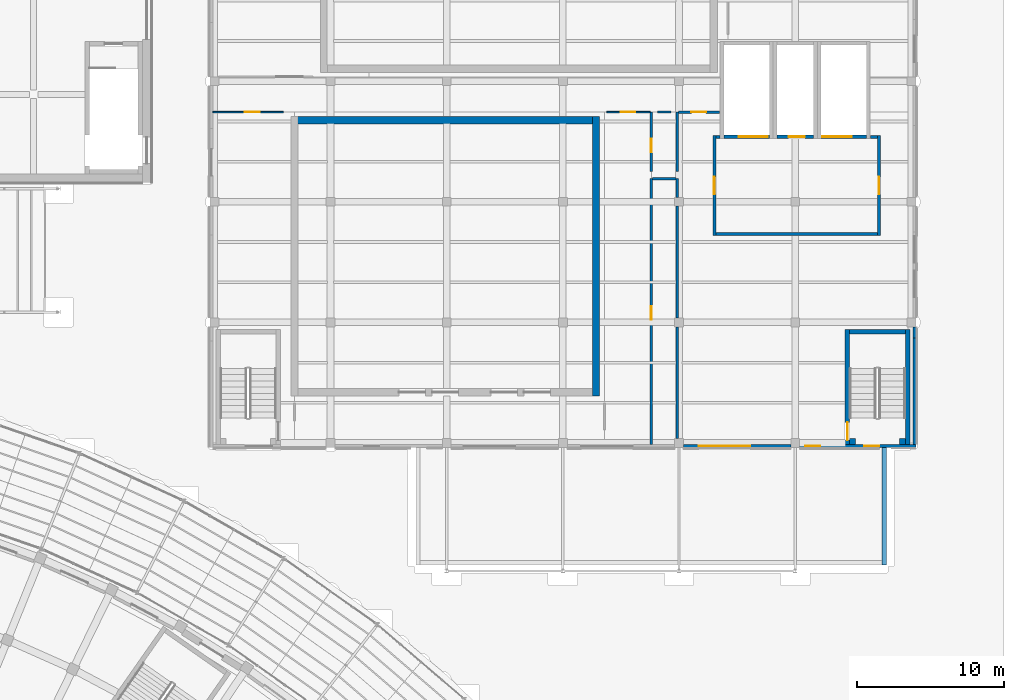
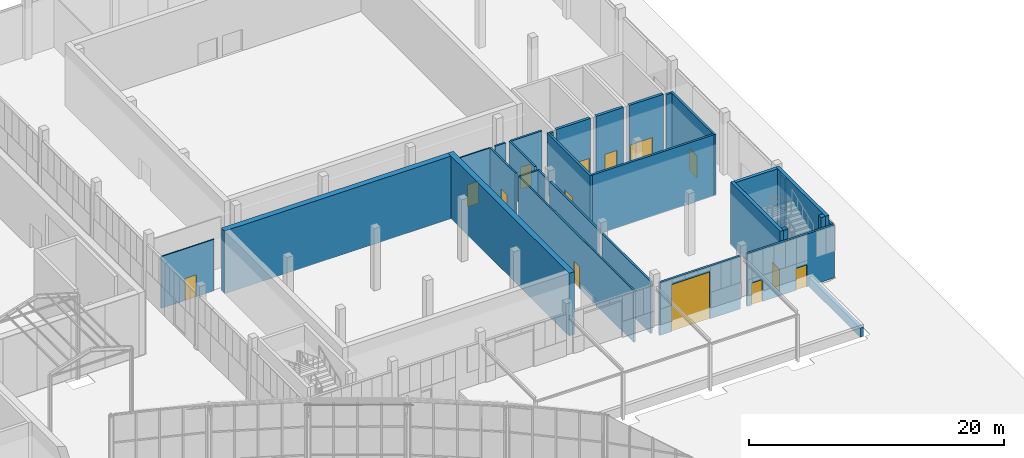
# One storey, part 102 of 155: 31 walls, 14 doors, 14 openings.
"""IFC4 building model written with IfcOpenShell, lengths in metres."""

import ifcopenshell
import ifcopenshell.guid

model = None  # the IFC model being written
_history = None  # IfcOwnerHistory: only IFC2X3 demands one
_inside = {}  # id of a spatial element -> (the spatial element, [elements in it])
_under = {}  # id of a project, library or spatial element -> (it, [spatial elements below it])
_declared = {}  # id of a project -> (the project, [libraries it declares])
_typed = {}  # id of a type object -> (the type object, [elements of that type])
_made_of = {}  # id of a material, layer set ... -> (it, [elements and type objects made of it])


def new_model(schema):
    """Start an empty IFC model of exactly this schema.

    Asked for "IFC4X3", IfcOpenShell would pick the latest addendum, in which some entities
    have other attributes; the version numbers below select the first issue.
    IFC2X3 requires an IfcOwnerHistory on every rooted entity: one is made here for all.
    """
    global model, _history
    if schema == "IFC4X3":
        model = ifcopenshell.file(schema_version=(4, 3, 0, 0))
    else:
        model = ifcopenshell.file(schema=schema)
    _inside.clear()
    _under.clear()
    _declared.clear()
    _typed.clear()
    _made_of.clear()
    _history = None
    if model.schema == "IFC2X3":
        org = make("IfcOrganization", Name="unknown")
        user = make(
            "IfcPersonAndOrganization",
            ThePerson=make("IfcPerson", FamilyName="unknown"),
            TheOrganization=org,
        )
        app = make(
            "IfcApplication",
            ApplicationDeveloper=org,
            Version="unknown",
            ApplicationFullName="unknown",
            ApplicationIdentifier="unknown",
        )
        _history = make(
            "IfcOwnerHistory",
            OwningUser=user,
            OwningApplication=app,
            ChangeAction="ADDED",
            CreationDate=0,
        )
    return model


def make(cls, **values):
    """One entity of the class cls with the attributes given. An attribute that is None is left unset."""
    return model.create_entity(
        cls, **{name: value for name, value in values.items() if value is not None}
    )


def rooted(cls, **values):
    """An entity with a GlobalId (a new one), such as an element, a storey or a relation."""
    return make(cls, GlobalId=ifcopenshell.guid.new(), OwnerHistory=_history, **values)


def si_unit(unit_type, name, prefix=None):
    """IfcSIUnit, for example si_unit("LENGTHUNIT", "METRE", prefix="MILLI")."""
    return make("IfcSIUnit", UnitType=unit_type, Prefix=prefix, Name=name)


def assignment(units):
    """IfcUnitAssignment: the units of a project."""
    return None if units is None else make("IfcUnitAssignment", Units=units)


def point(xyz):
    """IfcCartesianPoint."""
    return None if xyz is None else make("IfcCartesianPoint", Coordinates=xyz)


def direction(xyz):
    """IfcDirection."""
    return None if xyz is None else make("IfcDirection", DirectionRatios=xyz)


def frame(location, z_axis=None, x_axis=None):
    """IfcAxis2Placement3D, a coordinate frame: its origin and axes. An axis left out is left unset."""
    return make(
        "IfcAxis2Placement3D",
        Location=point(location),
        Axis=direction(z_axis),
        RefDirection=direction(x_axis),
    )


def frame_2d(location, x_axis=None):
    """IfcAxis2Placement2D, a coordinate frame in the plane: its origin and x axis."""
    return make(
        "IfcAxis2Placement2D", Location=point(location), RefDirection=direction(x_axis)
    )


def origin():
    """The frame at (0, 0, 0) with its axes left unset."""
    return frame((0.0, 0.0, 0.0))


def place(relative_to, where):
    """IfcLocalPlacement: puts the frame where relative to a parent placement (None: the world)."""
    return make(
        "IfcLocalPlacement", PlacementRelTo=relative_to, RelativePlacement=where
    )


def context(
    kind, dimensions, precision=None, world=None, true_north=None, identifier=None
):
    """IfcGeometricRepresentationContext, for example the 3D "Model" context."""
    return make(
        "IfcGeometricRepresentationContext",
        ContextIdentifier=identifier,
        ContextType=kind,
        CoordinateSpaceDimension=dimensions,
        Precision=precision,
        WorldCoordinateSystem=world,
        TrueNorth=true_north,
    )


def subcontext(parent, identifier, kind, view, scale=None):
    """IfcGeometricRepresentationSubContext, for example "Body" below "Model"."""
    return make(
        "IfcGeometricRepresentationSubContext",
        ContextIdentifier=identifier,
        ContextType=kind,
        ParentContext=parent,
        TargetScale=scale,
        TargetView=view,
    )


def project(units=None, contexts=None):
    """IfcProject with its units and contexts."""
    return rooted(
        "IfcProject",
        Name="project",
        RepresentationContexts=contexts,
        UnitsInContext=assignment(units),
    )


def spatial(cls, under=None, at=None, **own):
    """A site, building, storey or space (cls), placed at a placement, below another one or the project."""
    s = rooted(cls, ObjectPlacement=at, **own)
    if under is not None:
        _under.setdefault(under.id(), (under, []))[1].append(s)
    return s


def profile(cls, at=None, kind="AREA", **sizes):
    """A parametric profile (cls). Its sizes go by their IFC names, for example OverallWidth=200.0."""
    return make(cls, ProfileType=kind, Position=at, **sizes)


def rectangle(**sizes):
    """IfcRectangleProfileDef."""
    return profile("IfcRectangleProfileDef", **sizes)


def extrude(swept, where, along, depth):
    """IfcExtrudedAreaSolid: the profile swept, set in the frame where, extruded along a direction by depth."""
    return make(
        "IfcExtrudedAreaSolid",
        SweptArea=swept,
        Position=where,
        ExtrudedDirection=direction(along),
        Depth=depth,
    )


def shape(context_of_items, identifier, shape_type, items):
    """IfcShapeRepresentation: the items that make up one representation, for example the "Body"."""
    return make(
        "IfcShapeRepresentation",
        ContextOfItems=context_of_items,
        RepresentationIdentifier=identifier,
        RepresentationType=shape_type,
        Items=items,
    )


def material(Name=None, Category=None):
    """IfcMaterial."""
    return make("IfcMaterial", Name=Name, Category=Category)


def layer(
    of_material, thickness, ventilated=None, Name=None, Category=None, Priority=None
):
    """IfcMaterialLayer: one layer of a wall or slab, of a material (None: an air gap)."""
    return make(
        "IfcMaterialLayer",
        Material=of_material,
        LayerThickness=thickness,
        IsVentilated=ventilated,
        Name=Name,
        Category=Category,
        Priority=Priority,
    )


def layer_set(layers, Name=None):
    """IfcMaterialLayerSet."""
    return make("IfcMaterialLayerSet", MaterialLayers=layers, LayerSetName=Name)


def made_of(thing, what):
    """Note that an element or type object is made of a material, layer set ...; save() writes the relation."""
    if what is not None:
        _made_of.setdefault(what.id(), (what, []))[1].append(thing)
    return thing


def type_object(cls, material=None, **own):
    """A type object (cls), such as IfcWallType, which elements share."""
    return made_of(rooted(cls, **own), material)


def element(
    cls,
    number,
    at=None,
    inside=None,
    cuts=None,
    type_object=None,
    material=None,
    context=None,
    identifier="Body",
    shape_type=None,
    held_by="IfcProductDefinitionShape",
    body=None,
    shapes=None,
    **own,
):
    """One element of the class cls, such as IfcWall. Its Tag is "e" and its number.

    at: its placement. inside: the storey or other place that contains it. cuts: it is an
    opening in that element (IfcRelVoidsElement). A single representation is given by context,
    identifier, shape_type and body (its items); several are given by shapes. held_by: the class
    of the entity that holds the representations. save() writes the other relations.
    """
    e = rooted(cls, Tag="e%d" % number, ObjectPlacement=at, **own)
    if body is not None:
        shapes = [shape(context, identifier, shape_type, body)]
    if shapes is not None:
        e.Representation = make(held_by, Representations=shapes)
    if inside is not None:
        _inside.setdefault(inside.id(), (inside, []))[1].append(e)
    if cuts is not None:
        rooted(
            "IfcRelVoidsElement", RelatingBuildingElement=cuts, RelatedOpeningElement=e
        )
    if type_object is not None:
        _typed.setdefault(type_object.id(), (type_object, []))[1].append(e)
    return made_of(e, material)


def fill(opening, filler):
    """IfcRelFillsElement: the door or window that sits in an opening."""
    return rooted(
        "IfcRelFillsElement",
        RelatingOpeningElement=opening,
        RelatedBuildingElement=filler,
    )


def aggregate(whole, parts):
    """IfcRelAggregates: a whole, such as a stair, and the parts it consists of."""
    return rooted("IfcRelAggregates", RelatingObject=whole, RelatedObjects=parts)


def save(model, path):
    """Write the relations noted so far, then the file.

    IfcRelAggregates (storeys below a building ...), IfcRelContainedInSpatialStructure (elements
    in a storey), IfcRelDefinesByType, IfcRelAssociatesMaterial and IfcRelDeclares: one each for
    every whole, place, type object, material and project.
    """
    for whole, parts in _under.values():
        aggregate(whole, parts)
    for where, things in _inside.values():
        rooted(
            "IfcRelContainedInSpatialStructure",
            RelatedElements=things,
            RelatingStructure=where,
        )
    for kind, things in _typed.values():
        rooted("IfcRelDefinesByType", RelatedObjects=things, RelatingType=kind)
    for what, things in _made_of.values():
        rooted("IfcRelAssociatesMaterial", RelatedObjects=things, RelatingMaterial=what)
    for by, libraries in _declared.values():
        rooted("IfcRelDeclares", RelatingContext=by, RelatedDefinitions=libraries)
    model.write(path)


model = new_model("IFC4")

# Units and contexts
model_context = context("Model", 3, precision=1e-05, world=origin(), true_north=direction((0.0, 1.0)))
body_context = subcontext(model_context, "Body", "Model", "MODEL_VIEW")
ifc_project = project(units=[si_unit("LENGTHUNIT", "METRE"), si_unit("AREAUNIT", "SQUARE_METRE"), si_unit("VOLUMEUNIT", "CUBIC_METRE"), si_unit("PLANEANGLEUNIT", "RADIAN"), si_unit("MASSUNIT", "GRAM", prefix="KILO")], contexts=[model_context])

# Site, building, storey
site_placement = place(None, origin())
site = spatial("IfcSite", under=ifc_project, at=site_placement, CompositionType="ELEMENT")
building_placement = place(site_placement, origin())
building = spatial("IfcBuilding", under=site, at=building_placement, Name="Lunette Opera House", CompositionType="ELEMENT")
storey_placement = place(building_placement, origin())
storey = spatial("IfcBuildingStorey", under=building, at=storey_placement, Name="L00", CompositionType="ELEMENT", Elevation=0.0)

# Walls
ifc_material_1 = material(Name="Plastered clay blockwork", Category="masonry")
ifc_layer_1 = layer(ifc_material_1, 0.175048828125)
ifc_layer_set_1 = layer_set([ifc_layer_1], Name="Plastered clay blockwork")
wall_type_1 = type_object("IfcWallType", Name="ACOUSTIC BLOCK PARTITION 175", PredefinedType="PARTITIONING", material=ifc_layer_set_1)
wall_1_placement = place(storey_placement, frame((167.781005859375, 95.0009765625, 0.0), z_axis=(0.0, 0.0, 1.0), x_axis=(0.0, 1.0, 0.0)))
element("IfcWall", 1, at=wall_1_placement, inside=storey, type_object=wall_type_1, Name="Partition Workshop WC", PredefinedType="PARTITIONING", context=body_context, shape_type="SweptSolid", body=[
    extrude(rectangle(XDim=1.27099609375, YDim=0.175048828125, at=frame_2d((0.635498046875, 0.0))), origin(), (0.0, 0.0, 1.0), 4.949951171875),
])
for number, where, z_axis, x_axis, name in (
    (2, (167.781005859375, 86.800048828125, 0.0), (0.0, 0.0, 1.0), (0.0, 1.0, 0.0), "Partition Workshop WC"),
    (3, (167.781005859375, 78.60009765625, 0.0), (0.0, 0.0, 1.0), (0.0, 1.0, 0.0), "Partition Workshop WC"),
):
    element("IfcWall", number, at=place(storey_placement, frame(where, z_axis=z_axis, x_axis=x_axis)), inside=storey, type_object=wall_type_1, Name=name, PredefinedType="PARTITIONING", context=body_context, shape_type="SweptSolid", body=[
        extrude(rectangle(XDim=7.599853515625, YDim=0.175048828125, at=frame_2d((3.7998046875, 0.0))), origin(), (0.0, 0.0, 1.0), 4.949951171875),
    ])
wall_2_placement = place(storey_placement, frame((167.781005859375, 100.800048828125, 0.0), z_axis=(0.0, 0.0, 1.0), x_axis=(0.0, -1.0, 0.0)))
element("IfcWall", 4, at=wall_2_placement, inside=storey, type_object=wall_type_1, Name="Partition Scenery Store Ground", PredefinedType="PARTITIONING", context=body_context, shape_type="SweptSolid", body=[
    extrude(rectangle(XDim=4.028076171875, YDim=0.175048828125, at=frame_2d((2.01416015625, 0.0))), origin(), (0.0, 0.0, 1.0), 4.949951171875),
])

# Wall, opening, door
wall_3_placement = place(storey_placement, frame((170.64990234375, 100.800048828125, 0.0), z_axis=(0.0, 0.0, 1.0), x_axis=(-1.0, 0.0, 0.0)))
wall_3 = element("IfcWall", 5, at=wall_3_placement, inside=storey, type_object=wall_type_1, Name="Partition Scenery Store Ground", PredefinedType="PARTITIONING", context=body_context, shape_type="SweptSolid", body=[
    extrude(rectangle(XDim=2.781005859375, YDim=0.175048828125, at=frame_2d((1.390625, 0.0))), origin(), (0.0, 0.0, 1.0), 4.949951171875),
])
opening_1_placement = place(wall_3_placement, frame((0.909912109375, 0.0, 0.0)))
opening_1 = element("IfcOpeningElement", 6, at=opening_1_placement, cuts=wall_3, Name="Opening WW-D3021", PredefinedType="OPENING", context=body_context, shape_type="SweptSolid", body=[
    extrude(rectangle(XDim=1.0, YDim=2.10009765625, at=frame_2d((0.5, 1.050048828125))), frame((0.0, 0.099609375, 0.0), z_axis=(0.0, -1.0, 0.0), x_axis=(1.0, 0.0, 0.0)), (0.0, 0.0, 1.0), 0.198974609375),
])
ifc_material_2 = material(Name="Timber", Category="wood")
door_type_1 = type_object("IfcDoorType", Name="FLUSH DOOR 1000 X 2100", OperationType="SINGLE_SWING_LEFT", PredefinedType="DOOR", material=ifc_material_2)
door_1_placement = place(opening_1_placement, origin())
door_1 = element("IfcDoor", 7, at=door_1_placement, inside=storey, type_object=door_type_1, Name="Scenery Store Ground door", OperationType="SINGLE_SWING_RIGHT", OverallHeight=2.10009765625, OverallWidth=1.0, PredefinedType="DOOR", context=body_context, shape_type="SweptSolid", body=[
    extrude(rectangle(XDim=1.0, YDim=2.10009765625, at=frame_2d((0.5, 1.050048828125))), frame((0.0, 0.02490234375, 0.0), z_axis=(0.0, -1.0, 0.0), x_axis=(1.0, 0.0, 0.0)), (0.0, 0.0, 1.0), 0.050048828125),
])
fill(opening_1, door_1)

ifc_material_3 = material(Name="Plastered clay blockwork", Category="masonry")
ifc_layer_2 = layer(ifc_material_3, 0.14990234375)
ifc_layer_set_2 = layer_set([ifc_layer_2], Name="Plastered clay blockwork")
wall_type_2 = type_object("IfcWallType", Name="BLOCK PARTITION 150", PredefinedType="PARTITIONING", material=ifc_layer_set_2)
wall_4_placement = place(storey_placement, frame((166.013916015625, 78.199951171875, 0.0), z_axis=(0.0, 0.0, 1.0), x_axis=(0.0, 1.0, 0.0)))
wall_4 = element("IfcWall", 8, at=wall_4_placement, inside=storey, type_object=wall_type_2, Name="Partition Workshop Canteen", PredefinedType="PARTITIONING", context=body_context, shape_type="SweptSolid", body=[
    extrude(rectangle(XDim=18.072021484375, YDim=0.14990234375, at=frame_2d((9.0361328125, 0.0))), origin(), (0.0, 0.0, 1.0), 4.949951171875),
])
opening_2_placement = place(wall_4_placement, frame((8.486083984375, 0.0, 0.0)))
opening_2 = element("IfcOpeningElement", 9, at=opening_2_placement, cuts=wall_4, Name="Opening WW-D3019", PredefinedType="OPENING", context=body_context, shape_type="SweptSolid", body=[
    extrude(rectangle(XDim=0.89990234375, YDim=2.10009765625, at=frame_2d((0.449951171875, 1.050048828125))), frame((0.0, 0.0869140625, 0.0), z_axis=(0.0, -1.0, 0.0), x_axis=(1.0, 0.0, 0.0)), (0.0, 0.0, 1.0), 0.173828125),
])
ifc_material_4 = material(Name="Timber", Category="wood")
door_type_2 = type_object("IfcDoorType", Name="FLUSH DOOR 900 X 2100", OperationType="SINGLE_SWING_LEFT", PredefinedType="DOOR", material=ifc_material_4)
door_2_placement = place(opening_2_placement, origin())
door_2 = element("IfcDoor", 10, at=door_2_placement, inside=storey, type_object=door_type_2, Name="Workshop WC door", OperationType="SINGLE_SWING_LEFT", OverallHeight=2.10009765625, OverallWidth=0.89990234375, PredefinedType="DOOR", context=body_context, shape_type="SweptSolid", body=[
    extrude(rectangle(XDim=0.89990234375, YDim=2.10009765625, at=frame_2d((0.449951171875, 1.050048828125))), frame((0.0, 0.02490234375, 0.0), z_axis=(0.0, -1.0, 0.0), x_axis=(1.0, 0.0, 0.0)), (0.0, 0.0, 1.0), 0.050048828125),
])
fill(opening_2, door_2)

wall_5_placement = place(storey_placement, frame((166.013916015625, 96.77197265625, 0.0), z_axis=(0.0, 0.0, 1.0), x_axis=(0.0, 1.0, 0.0)))
wall_5 = element("IfcWall", 11, at=wall_5_placement, inside=storey, type_object=wall_type_2, Name="Partition Workshop Canteen", PredefinedType="PARTITIONING", context=body_context, shape_type="SweptSolid", body=[
    extrude(rectangle(XDim=4.028076171875, YDim=0.14990234375, at=frame_2d((2.01416015625, 0.0))), origin(), (0.0, 0.0, 1.0), 4.949951171875),
])
opening_3_placement = place(wall_5_placement, frame((1.31396484375, 0.0, 0.0)))
opening_3 = element("IfcOpeningElement", 12, at=opening_3_placement, cuts=wall_5, Name="Opening WW-D3020", PredefinedType="OPENING", context=body_context, shape_type="SweptSolid", body=[
    extrude(rectangle(XDim=0.89990234375, YDim=2.10009765625, at=frame_2d((0.449951171875, 1.050048828125))), frame((0.0, 0.0869140625, 0.0), z_axis=(0.0, -1.0, 0.0), x_axis=(1.0, 0.0, 0.0)), (0.0, 0.0, 1.0), 0.173828125),
])
door_3_placement = place(opening_3_placement, origin())
door_3 = element("IfcDoor", 13, at=door_3_placement, inside=storey, type_object=door_type_2, Name="Accessible WC Workshop door", OperationType="SINGLE_SWING_LEFT", OverallHeight=2.10009765625, OverallWidth=0.89990234375, PredefinedType="DOOR", context=body_context, shape_type="SweptSolid", body=[
    extrude(rectangle(XDim=0.89990234375, YDim=2.10009765625, at=frame_2d((0.449951171875, 1.050048828125))), frame((0.0, 0.02490234375, 0.0), z_axis=(0.0, -1.0, 0.0), x_axis=(1.0, 0.0, 0.0)), (0.0, 0.0, 1.0), 0.050048828125),
])
fill(opening_3, door_3)

# Walls
wall_6_placement = place(storey_placement, frame((167.693115234375, 96.27197265625, 0.0), z_axis=(0.0, 0.0, 1.0), x_axis=(-1.0, 0.0, 0.0)))
element("IfcWall", 14, at=wall_6_placement, inside=storey, type_object=wall_type_2, Name="Partition Workshop WC", PredefinedType="PARTITIONING", context=body_context, shape_type="SweptSolid", body=[
    extrude(rectangle(XDim=1.60400390625, YDim=0.14990234375, at=frame_2d((0.802001953125, 0.0))), origin(), (0.0, 0.0, 1.0), 4.949951171875),
])
wall_7_placement = place(storey_placement, frame((167.368896484375, 100.800048828125, 0.0), z_axis=(0.0, 0.0, 1.0), x_axis=(-1.0, 0.0, 0.0)))
element("IfcWall", 15, at=wall_7_placement, inside=storey, type_object=wall_type_2, Name="Partition Accessible WC Workshop", PredefinedType="PARTITIONING", context=body_context, shape_type="SweptSolid", body=[
    extrude(rectangle(XDim=0.929931640625, YDim=0.14990234375, at=frame_2d((0.46484375, 0.0))), origin(), (0.0, 0.0, 1.0), 4.949951171875),
])

# Wall, opening, door
ifc_material_5 = material(Name="Concrete C35/45", Category="concrete")
ifc_layer_3 = layer(ifc_material_5, 0.199951171875)
ifc_layer_set_3 = layer_set([ifc_layer_3], Name="Concrete C35/45")
wall_type_3 = type_object("IfcWallType", Name="LOBBY WALL 200", PredefinedType="PARTITIONING", material=ifc_layer_set_3)
wall_8_placement = place(storey_placement, frame((181.5, 92.39990234375, 0.0), z_axis=(0.0, 0.0, 1.0), x_axis=(0.0, 1.0, 0.0)))
wall_8 = element("IfcWall", 16, at=wall_8_placement, inside=storey, type_object=wall_type_3, Name="LL-W lobby wall 1a", PredefinedType="PARTITIONING", context=body_context, shape_type="SweptSolid", body=[
    extrude(rectangle(XDim=6.800048828125, YDim=0.199951171875, at=frame_2d((3.39990234375, 0.0))), origin(), (0.0, 0.0, 1.0), 5.85009765625),
])
opening_4_placement = place(wall_8_placement, frame((2.800048828125, 0.0, 0.0)))
opening_4 = element("IfcOpeningElement", 17, at=opening_4_placement, cuts=wall_8, Name="Opening WW-D7017", PredefinedType="OPENING", context=body_context, shape_type="SweptSolid", body=[
    extrude(rectangle(XDim=1.199951171875, YDim=2.10009765625, at=frame_2d((0.60009765625, 1.050048828125))), frame((0.0, 0.112060546875, 0.0), z_axis=(0.0, -1.0, 0.0), x_axis=(1.0, 0.0, 0.0)), (0.0, 0.0, 1.0), 0.223876953125),
])
ifc_material_6 = material(Name="Steel", Category="steel")
door_type_3 = type_object("IfcDoorType", Name="FIRE DOOR 1200 X 2100", OperationType="SINGLE_SWING_LEFT", PredefinedType="DOOR", material=ifc_material_6)
door_4_placement = place(opening_4_placement, origin())
door_4 = element("IfcDoor", 18, at=door_4_placement, inside=storey, type_object=door_type_3, Name="LL-W lobby door", OperationType="SINGLE_SWING_LEFT", OverallHeight=2.10009765625, OverallWidth=1.199951171875, PredefinedType="DOOR", context=body_context, shape_type="SweptSolid", body=[
    extrude(rectangle(XDim=1.199951171875, YDim=2.10009765625, at=frame_2d((0.60009765625, 1.050048828125))), frame((0.0, 0.02490234375, 0.0), z_axis=(0.0, -1.0, 0.0), x_axis=(1.0, 0.0, 0.0)), (0.0, 0.0, 1.0), 0.050048828125),
])
fill(opening_4, door_4)

# Walls
wall_9_placement = place(storey_placement, frame((181.39990234375, 99.10009765625, 0.0), z_axis=(0.0, 0.0, 1.0), x_axis=(-1.0, 0.0, 0.0)))
element("IfcWall", 19, at=wall_9_placement, inside=storey, type_object=wall_type_3, Name="LL-W lobby wall 2a", PredefinedType="PARTITIONING", context=body_context, shape_type="SweptSolid", body=[
    extrude(rectangle(XDim=0.47998046875, YDim=0.199951171875, at=frame_2d((0.239990234375, 0.0))), origin(), (0.0, 0.0, 1.0), 5.85009765625),
])
wall_10_placement = place(storey_placement, frame((170.679931640625, 99.10009765625, 0.0), z_axis=(0.0, 0.0, 1.0), x_axis=(-1.0, 0.0, 0.0)))
element("IfcWall", 20, at=wall_10_placement, inside=storey, type_object=wall_type_3, Name="LL-W lobby wall 2b", PredefinedType="PARTITIONING", context=body_context, shape_type="SweptSolid", body=[
    extrude(rectangle(XDim=0.280029296875, YDim=0.199951171875, at=frame_2d((0.14013671875, 0.0))), origin(), (0.0, 0.0, 1.0), 5.85009765625),
])

# Wall, opening, door
wall_11_placement = place(storey_placement, frame((170.300048828125, 99.199951171875, 0.0), z_axis=(0.0, 0.0, 1.0), x_axis=(0.0, -1.0, 0.0)))
wall_11 = element("IfcWall", 21, at=wall_11_placement, inside=storey, type_object=wall_type_3, Name="LL-W lobby wall 3a", PredefinedType="PARTITIONING", context=body_context, shape_type="SweptSolid", body=[
    extrude(rectangle(XDim=6.800048828125, YDim=0.199951171875, at=frame_2d((3.39990234375, 0.0))), origin(), (0.0, 0.0, 1.0), 5.85009765625),
])
opening_5_placement = place(wall_11_placement, frame((2.800048828125, 0.0, 0.0)))
opening_5 = element("IfcOpeningElement", 22, at=opening_5_placement, cuts=wall_11, Name="Opening WW-D7018", PredefinedType="OPENING", context=body_context, shape_type="SweptSolid", body=[
    extrude(rectangle(XDim=1.199951171875, YDim=2.10009765625, at=frame_2d((0.60009765625, 1.050048828125))), frame((0.0, 0.112060546875, 0.0), z_axis=(0.0, -1.0, 0.0), x_axis=(1.0, 0.0, 0.0)), (0.0, 0.0, 1.0), 0.223876953125),
])
door_5_placement = place(opening_5_placement, origin())
door_5 = element("IfcDoor", 23, at=door_5_placement, inside=storey, type_object=door_type_3, Name="LL-W lobby door", OperationType="SINGLE_SWING_LEFT", OverallHeight=2.10009765625, OverallWidth=1.199951171875, PredefinedType="DOOR", context=body_context, shape_type="SweptSolid", body=[
    extrude(rectangle(XDim=1.199951171875, YDim=2.10009765625, at=frame_2d((0.60009765625, 1.050048828125))), frame((0.0, 0.02490234375, 0.0), z_axis=(0.0, -1.0, 0.0), x_axis=(1.0, 0.0, 0.0)), (0.0, 0.0, 1.0), 0.050048828125),
])
fill(opening_5, door_5)

# Wall
wall_12_placement = place(storey_placement, frame((170.39990234375, 92.5, 0.0), z_axis=(0.0, 0.0, 1.0), x_axis=(1.0, 0.0, 0.0)))
element("IfcWall", 24, at=wall_12_placement, inside=storey, type_object=wall_type_3, Name="LL-W lobby wall 4a", PredefinedType="PARTITIONING", context=body_context, shape_type="SweptSolid", body=[
    extrude(rectangle(XDim=11.0, YDim=0.199951171875, at=frame_2d((5.5, 0.0))), origin(), (0.0, 0.0, 1.0), 5.85009765625),
])

# Wall, opening, door
ifc_material_7 = material(Name="Concrete C35/45", Category="concrete")
ifc_layer_4 = layer(ifc_material_7, 0.25)
ifc_layer_set_4 = layer_set([ifc_layer_4], Name="Concrete C35/45")
wall_type_4 = type_object("IfcWallType", Name="RC LIFT SHAFT WALL 250", PredefinedType="SOLIDWALL", material=ifc_layer_set_4)
wall_13_placement = place(storey_placement, frame((174.550048828125, 99.125, 0.0), z_axis=(0.0, 0.0, 1.0), x_axis=(1.0, 0.0, 0.0)))
wall_13 = element("IfcWall", 25, at=wall_13_placement, inside=storey, type_object=wall_type_4, Name="LF6 shaft wall 4", PredefinedType="SOLIDWALL", context=body_context, shape_type="SweptSolid", body=[
    extrude(rectangle(XDim=2.5, YDim=0.25, at=frame_2d((1.25, 0.0))), origin(), (0.0, 0.0, 1.0), 6.0),
])
opening_6_placement = place(wall_13_placement, frame((0.800048828125, 0.0, 0.0)))
opening_6 = element("IfcOpeningElement", 26, at=opening_6_placement, cuts=wall_13, Name="Opening WW-LD002", PredefinedType="OPENING", context=body_context, shape_type="SweptSolid", body=[
    extrude(rectangle(XDim=1.10009765625, YDim=2.10009765625, at=frame_2d((0.550048828125, 1.050048828125))), frame((0.0, 0.136962890625, 0.0), z_axis=(0.0, -1.0, 0.0), x_axis=(1.0, 0.0, 0.0)), (0.0, 0.0, 1.0), 0.27392578125),
])
ifc_material_8 = material(Name="Stainless steel", Category="steel")
door_type_4 = type_object("IfcDoorType", Name="LIFT LANDING DOOR 1100 X 2100", OperationType="DOUBLE_DOOR_SLIDING", PredefinedType="DOOR", material=ifc_material_8)
door_6_placement = place(opening_6_placement, origin())
door_6 = element("IfcDoor", 27, at=door_6_placement, inside=storey, type_object=door_type_4, Name="LF6 lift landing door", OperationType="DOUBLE_DOOR_SLIDING", OverallHeight=2.10009765625, OverallWidth=1.10009765625, PredefinedType="DOOR", context=body_context, shape_type="SweptSolid", body=[
    extrude(rectangle(XDim=1.10009765625, YDim=2.10009765625, at=frame_2d((0.550048828125, 1.050048828125))), frame((0.0, 0.02490234375, 0.0), z_axis=(0.0, -1.0, 0.0), x_axis=(1.0, 0.0, 0.0)), (0.0, 0.0, 1.0), 0.050048828125),
])
fill(opening_6, door_6)

wall_14_placement = place(storey_placement, frame((170.949951171875, 99.125, 0.0), z_axis=(0.0, 0.0, 1.0), x_axis=(1.0, 0.0, 0.0)))
wall_14 = element("IfcWall", 28, at=wall_14_placement, inside=storey, type_object=wall_type_4, Name="LG2 shaft wall 4", PredefinedType="SOLIDWALL", context=body_context, shape_type="SweptSolid", body=[
    extrude(rectangle(XDim=3.10009765625, YDim=0.25, at=frame_2d((1.550048828125, 0.0))), origin(), (0.0, 0.0, 1.0), 6.0),
])
opening_7_placement = place(wall_14_placement, frame((1.0, 0.0, 0.0)))
opening_7 = element("IfcOpeningElement", 29, at=opening_7_placement, cuts=wall_14, Name="Opening WW-LD007", PredefinedType="OPENING", context=body_context, shape_type="SweptSolid", body=[
    extrude(rectangle(XDim=2.0, YDim=2.199951171875, at=frame_2d((1.0, 1.10009765625))), frame((0.0, 0.136962890625, 0.0), z_axis=(0.0, -1.0, 0.0), x_axis=(1.0, 0.0, 0.0)), (0.0, 0.0, 1.0), 0.27392578125),
])
ifc_material_9 = material(Name="Stainless steel", Category="steel")
door_type_5 = type_object("IfcDoorType", Name="LIFT LANDING DOOR 2000 X 2200", OperationType="DOUBLE_DOOR_SLIDING", PredefinedType="DOOR", material=ifc_material_9)
door_7_placement = place(opening_7_placement, origin())
door_7 = element("IfcDoor", 30, at=door_7_placement, inside=storey, type_object=door_type_5, Name="LG2 lift landing door", OperationType="DOUBLE_DOOR_SLIDING", OverallHeight=2.199951171875, OverallWidth=2.0, PredefinedType="DOOR", context=body_context, shape_type="SweptSolid", body=[
    extrude(rectangle(XDim=2.0, YDim=2.199951171875, at=frame_2d((1.0, 1.10009765625))), frame((0.0, 0.02490234375, 0.0), z_axis=(0.0, -1.0, 0.0), x_axis=(1.0, 0.0, 0.0)), (0.0, 0.0, 1.0), 0.050048828125),
])
fill(opening_7, door_7)

wall_15_placement = place(storey_placement, frame((177.550048828125, 99.125, 0.0), z_axis=(0.0, 0.0, 1.0), x_axis=(1.0, 0.0, 0.0)))
wall_15 = element("IfcWall", 31, at=wall_15_placement, inside=storey, type_object=wall_type_4, Name="LG3 shaft wall 4", PredefinedType="SOLIDWALL", context=body_context, shape_type="SweptSolid", body=[
    extrude(rectangle(XDim=3.099853515625, YDim=0.25, at=frame_2d((1.5498046875, 0.0))), origin(), (0.0, 0.0, 1.0), 6.0),
])
opening_8_placement = place(wall_15_placement, frame((0.10009765625, 0.0, 0.0)))
opening_8 = element("IfcOpeningElement", 32, at=opening_8_placement, cuts=wall_15, Name="Opening WW-LD012", PredefinedType="OPENING", context=body_context, shape_type="SweptSolid", body=[
    extrude(rectangle(XDim=2.0, YDim=2.199951171875, at=frame_2d((1.0, 1.10009765625))), frame((0.0, 0.136962890625, 0.0), z_axis=(0.0, -1.0, 0.0), x_axis=(1.0, 0.0, 0.0)), (0.0, 0.0, 1.0), 0.27392578125),
])
door_8_placement = place(opening_8_placement, origin())
door_8 = element("IfcDoor", 33, at=door_8_placement, inside=storey, type_object=door_type_5, Name="LG3 lift landing door", OperationType="DOUBLE_DOOR_SLIDING", OverallHeight=2.199951171875, OverallWidth=2.0, PredefinedType="DOOR", context=body_context, shape_type="SweptSolid", body=[
    extrude(rectangle(XDim=2.0, YDim=2.199951171875, at=frame_2d((1.0, 1.10009765625))), frame((0.0, 0.02490234375, 0.0), z_axis=(0.0, -1.0, 0.0), x_axis=(1.0, 0.0, 0.0)), (0.0, 0.0, 1.0), 0.050048828125),
])
fill(opening_8, door_8)

# Walls
ifc_material_10 = material(Name="Concrete C35/45", Category="concrete")
ifc_layer_5 = layer(ifc_material_10, 0.39990234375)
ifc_layer_set_5 = layer_set([ifc_layer_5], Name="Concrete C35/45")
wall_type_5 = type_object("IfcWallType", Name="RC PILASTER 400", PredefinedType="SOLIDWALL", material=ifc_layer_set_5)
wall_16_placement = place(storey_placement, frame((179.5, 78.39990234375, 0.0), z_axis=(0.0, 0.0, 1.0), x_axis=(1.0, 0.0, 0.0)))
element("IfcWall", 34, at=wall_16_placement, inside=storey, type_object=wall_type_5, Name="ST20 pilaster 1", PredefinedType="SOLIDWALL", context=body_context, shape_type="SweptSolid", body=[
    extrude(rectangle(XDim=0.39990234375, YDim=0.39990234375, at=frame_2d((0.199951171875, 0.0))), origin(), (0.0, 0.0, 1.0), 6.0),
])
wall_17_placement = place(storey_placement, frame((182.89990234375, 78.39990234375, 0.0), z_axis=(0.0, 0.0, 1.0), x_axis=(1.0, 0.0, 0.0)))
element("IfcWall", 35, at=wall_17_placement, inside=storey, type_object=wall_type_5, Name="ST20 pilaster 2", PredefinedType="SOLIDWALL", context=body_context, shape_type="SweptSolid", body=[
    extrude(rectangle(XDim=0.400146484375, YDim=0.39990234375, at=frame_2d((0.2001953125, 0.0))), origin(), (0.0, 0.0, 1.0), 6.0),
])
ifc_material_11 = material(Name="Concrete C35/45", Category="concrete")
ifc_layer_6 = layer(ifc_material_11, 0.300048828125)
ifc_layer_set_6 = layer_set([ifc_layer_6], Name="Concrete C35/45")
wall_type_6 = type_object("IfcWallType", Name="RC STAIR ENCLOSURE WALL 300", PredefinedType="SOLIDWALL", material=ifc_layer_set_6)
wall_18_placement = place(storey_placement, frame((183.449951171875, 78.199951171875, 0.0), z_axis=(0.0, 0.0, 1.0), x_axis=(0.0, 1.0, 0.0)))
element("IfcWall", 36, at=wall_18_placement, inside=storey, type_object=wall_type_6, Name="ST20 enclosure wall 1", PredefinedType="SOLIDWALL", context=body_context, shape_type="SweptSolid", body=[
    extrude(rectangle(XDim=7.800048828125, YDim=0.300048828125, at=frame_2d((3.89990234375, 0.0))), origin(), (0.0, 0.0, 1.0), 6.0),
])
wall_19_placement = place(storey_placement, frame((183.300048828125, 85.85009765625, 0.0), z_axis=(0.0, 0.0, 1.0), x_axis=(-1.0, 0.0, 0.0)))
element("IfcWall", 37, at=wall_19_placement, inside=storey, type_object=wall_type_6, Name="ST20 enclosure wall 2", PredefinedType="SOLIDWALL", context=body_context, shape_type="SweptSolid", body=[
    extrude(rectangle(XDim=3.800048828125, YDim=0.300048828125, at=frame_2d((1.89990234375, 0.0))), origin(), (0.0, 0.0, 1.0), 6.0),
])

# Wall, opening, door
wall_20_placement = place(storey_placement, frame((179.35009765625, 86.0, 0.0), z_axis=(0.0, 0.0, 1.0), x_axis=(0.0, -1.0, 0.0)))
wall_20 = element("IfcWall", 38, at=wall_20_placement, inside=storey, type_object=wall_type_6, Name="ST20 enclosure wall 3", PredefinedType="SOLIDWALL", context=body_context, shape_type="SweptSolid", body=[
    extrude(rectangle(XDim=7.800048828125, YDim=0.300048828125, at=frame_2d((3.89990234375, 0.0))), origin(), (0.0, 0.0, 1.0), 6.0),
])
opening_9_placement = place(wall_20_placement, frame((6.300048828125, 0.0, 0.0)))
opening_9 = element("IfcOpeningElement", 39, at=opening_9_placement, cuts=wall_20, Name="Opening WW-D7011", PredefinedType="OPENING", context=body_context, shape_type="SweptSolid", body=[
    extrude(rectangle(XDim=1.199951171875, YDim=2.10009765625, at=frame_2d((0.60009765625, 1.050048828125))), frame((0.0, 0.162109375, 0.0), z_axis=(0.0, -1.0, 0.0), x_axis=(1.0, 0.0, 0.0)), (0.0, 0.0, 1.0), 0.323974609375),
])
door_9_placement = place(opening_9_placement, origin())
door_9 = element("IfcDoor", 40, at=door_9_placement, inside=storey, type_object=door_type_3, Name="ST20 stair door", OperationType="SINGLE_SWING_LEFT", OverallHeight=2.10009765625, OverallWidth=1.199951171875, PredefinedType="DOOR", context=body_context, shape_type="SweptSolid", body=[
    extrude(rectangle(XDim=1.199951171875, YDim=2.10009765625, at=frame_2d((0.60009765625, 1.050048828125))), frame((0.0, 0.02490234375, 0.0), z_axis=(0.0, -1.0, 0.0), x_axis=(1.0, 0.0, 0.0)), (0.0, 0.0, 1.0), 0.050048828125),
])
fill(opening_9, door_9)

# Walls
ifc_material_12 = material(Name="Concrete C35/45", Category="concrete")
ifc_layer_7 = layer(ifc_material_12, 0.300048828125)
ifc_layer_set_7 = layer_set([ifc_layer_7], Name="Concrete C35/45")
wall_type_7 = type_object("IfcWallType", Name="RC WALL 300", PredefinedType="SHEAR", material=ifc_layer_set_7)
wall_21_placement = place(storey_placement, frame((181.85009765625, 70.0, -0.050048828125), z_axis=(0.0, 0.0, 1.0), x_axis=(0.0, 1.0, 0.0)))
element("IfcWall", 41, at=wall_21_placement, inside=storey, type_object=wall_type_7, Name="wall-WW-L00-DK-E", PredefinedType="SHEAR", context=body_context, shape_type="SweptSolid", body=[
    extrude(rectangle(XDim=8.0, YDim=0.300048828125, at=frame_2d((4.0, 0.0))), origin(), (0.0, 0.0, 1.0), 0.900146484375),
])
ifc_material_13 = material(Name="Concrete C35/45", Category="concrete")
ifc_layer_8 = layer(ifc_material_13, 0.5)
ifc_layer_set_8 = layer_set([ifc_layer_8], Name="Concrete C35/45")
wall_type_8 = type_object("IfcWallType", Name="RC WALL 500", PredefinedType="SHEAR", material=ifc_layer_set_8)
wall_22_placement = place(storey_placement, frame((141.5, 100.25, 0.0), z_axis=(0.0, 0.0, 1.0), x_axis=(1.0, 0.0, 0.0)))
element("IfcWall", 42, at=wall_22_placement, inside=storey, type_object=wall_type_8, Name="wall-WW-L00-CP-N-1", PredefinedType="SHEAR", context=body_context, shape_type="SweptSolid", body=[
    extrude(rectangle(XDim=21.0, YDim=0.5, at=frame_2d((10.5, 0.0))), origin(), (0.0, 0.0, 1.0), 6.0),
])
wall_23_placement = place(storey_placement, frame((162.25, 81.5, 0.0), z_axis=(0.0, 0.0, 1.0), x_axis=(0.0, 1.0, 0.0)))
element("IfcWall", 43, at=wall_23_placement, inside=storey, type_object=wall_type_8, Name="wall-WW-L00-CP-E-1", PredefinedType="SHEAR", context=body_context, shape_type="SweptSolid", body=[
    extrude(rectangle(XDim=19.0, YDim=0.5, at=frame_2d((9.5, 0.0))), origin(), (0.0, 0.0, 1.0), 6.0),
])

# Wall, opening, door
ifc_material_14 = material(Name="Gypsum board on steel studs", Category="steel")
ifc_layer_9 = layer(ifc_material_14, 0.10009765625)
ifc_layer_set_9 = layer_set([ifc_layer_9], Name="Gypsum board on steel studs")
wall_type_9 = type_object("IfcWallType", Name="STUD PARTITION 100", PredefinedType="PARTITIONING", material=ifc_layer_set_9)
wall_24_placement = place(storey_placement, frame((141.0, 100.800048828125, 0.0), z_axis=(0.0, 0.0, 1.0), x_axis=(-1.0, 0.0, 0.0)))
wall_24 = element("IfcWall", 44, at=wall_24_placement, inside=storey, type_object=wall_type_9, Name="Partition Dye and Laundry", PredefinedType="PARTITIONING", context=body_context, shape_type="SweptSolid", body=[
    extrude(rectangle(XDim=4.800048828125, YDim=0.10009765625, at=frame_2d((2.39990234375, 0.0))), origin(), (0.0, 0.0, 1.0), 4.949951171875),
])
opening_10_placement = place(wall_24_placement, frame((1.626953125, 0.0, 0.0)))
opening_10 = element("IfcOpeningElement", 45, at=opening_10_placement, cuts=wall_24, Name="Opening WW-D3014", PredefinedType="OPENING", context=body_context, shape_type="SweptSolid", body=[
    extrude(rectangle(XDim=1.0, YDim=2.10009765625, at=frame_2d((0.5, 1.050048828125))), frame((0.0, 0.06201171875, 0.0), z_axis=(0.0, -1.0, 0.0), x_axis=(1.0, 0.0, 0.0)), (0.0, 0.0, 1.0), 0.1240234375),
])
door_10_placement = place(opening_10_placement, origin())
door_10 = element("IfcDoor", 46, at=door_10_placement, inside=storey, type_object=door_type_1, Name="Dye and Laundry door", OperationType="SINGLE_SWING_LEFT", OverallHeight=2.10009765625, OverallWidth=1.0, PredefinedType="DOOR", context=body_context, shape_type="SweptSolid", body=[
    extrude(rectangle(XDim=1.0, YDim=2.10009765625, at=frame_2d((0.5, 1.050048828125))), frame((0.0, 0.02490234375, 0.0), z_axis=(0.0, -1.0, 0.0), x_axis=(1.0, 0.0, 0.0)), (0.0, 0.0, 1.0), 0.050048828125),
])
fill(opening_10, door_10)

wall_25_placement = place(storey_placement, frame((165.93896484375, 100.800048828125, 0.0), z_axis=(0.0, 0.0, 1.0), x_axis=(-1.0, 0.0, 0.0)))
wall_25 = element("IfcWall", 47, at=wall_25_placement, inside=storey, type_object=wall_type_9, Name="Partition Workshop Canteen", PredefinedType="PARTITIONING", context=body_context, shape_type="SweptSolid", body=[
    extrude(rectangle(XDim=2.93896484375, YDim=0.10009765625, at=frame_2d((1.469482421875, 0.0))), origin(), (0.0, 0.0, 1.0), 4.949951171875),
])
opening_11_placement = place(wall_25_placement, frame((1.014892578125, 0.0, 0.0)))
opening_11 = element("IfcOpeningElement", 48, at=opening_11_placement, cuts=wall_25, Name="Opening WW-D3018", PredefinedType="OPENING", context=body_context, shape_type="SweptSolid", body=[
    extrude(rectangle(XDim=1.0, YDim=2.10009765625, at=frame_2d((0.5, 1.050048828125))), frame((0.0, 0.06201171875, 0.0), z_axis=(0.0, -1.0, 0.0), x_axis=(1.0, 0.0, 0.0)), (0.0, 0.0, 1.0), 0.1240234375),
])
door_11_placement = place(opening_11_placement, origin())
door_11 = element("IfcDoor", 49, at=door_11_placement, inside=storey, type_object=door_type_1, Name="Workshop Canteen door", OperationType="SINGLE_SWING_RIGHT", OverallHeight=2.10009765625, OverallWidth=1.0, PredefinedType="DOOR", context=body_context, shape_type="SweptSolid", body=[
    extrude(rectangle(XDim=1.0, YDim=2.10009765625, at=frame_2d((0.5, 1.050048828125))), frame((0.0, 0.02490234375, 0.0), z_axis=(0.0, -1.0, 0.0), x_axis=(1.0, 0.0, 0.0)), (0.0, 0.0, 1.0), 0.050048828125),
])
fill(opening_11, door_11)

ifc_material_15 = material(Name="Insulated aluminium sandwich panel", Category="aluminium")
ifc_layer_10 = layer(ifc_material_15, 0.199951171875)
ifc_layer_set_10 = layer_set([ifc_layer_10], Name="Insulated aluminium sandwich panel")
wall_type_10 = type_object("IfcWallType", Name="WORKSHOP METAL PANEL WALL 200", PredefinedType="SOLIDWALL", material=ifc_layer_set_10)
wall_26_placement = place(storey_placement, frame((168.199951171875, 78.10009765625, 0.0), z_axis=(0.0, 0.0, 1.0), x_axis=(1.0, 0.0, 0.0)))
wall_26 = element("IfcWall", 50, at=wall_26_placement, inside=storey, type_object=wall_type_10, Name="Workshop Metal Panel Wall 200 F19 L00", PredefinedType="SOLIDWALL", context=body_context, shape_type="SweptSolid", body=[
    extrude(rectangle(XDim=7.300048828125, YDim=0.199951171875, at=frame_2d((3.64990234375, 0.0))), origin(), (0.0, 0.0, 1.0), 5.050048828125),
])
opening_12_placement = place(wall_26_placement, frame((1.050048828125, 0.0, 0.0)))
opening_12 = element("IfcOpeningElement", 51, at=opening_12_placement, cuts=wall_26, Name="Opening WW-D2003", PredefinedType="OPENING", context=body_context, shape_type="SweptSolid", body=[
    extrude(rectangle(XDim=3.5, YDim=4.5, at=frame_2d((1.75, 2.25))), frame((0.0, 0.112060546875, 0.0), z_axis=(0.0, -1.0, 0.0), x_axis=(1.0, 0.0, 0.0)), (0.0, 0.0, 1.0), 0.223876953125),
])
ifc_material_16 = material(Name="Insulated steel sectional panel", Category="steel")
door_type_6 = type_object("IfcDoorType", Name="DOCK DOOR 3500 X 4500", OperationType="ROLLINGUP", PredefinedType="DOOR", material=ifc_material_16)
door_12_placement = place(opening_12_placement, origin())
door_12 = element("IfcDoor", 52, at=door_12_placement, inside=storey, type_object=door_type_6, Name="Dock Door 3500 X 4500 WWDK3 L00", OperationType="ROLLINGUP", OverallHeight=4.5, OverallWidth=3.5, PredefinedType="DOOR", context=body_context, shape_type="SweptSolid", body=[
    extrude(rectangle(XDim=3.5, YDim=4.5, at=frame_2d((1.75, 2.25))), frame((0.0, 0.02490234375, 0.0), z_axis=(0.0, -1.0, 0.0), x_axis=(1.0, 0.0, 0.0)), (0.0, 0.0, 1.0), 0.050048828125),
])
fill(opening_12, door_12)

# Wall, openings, doors
wall_27_placement = place(storey_placement, frame((176.10009765625, 78.10009765625, 0.0), z_axis=(0.0, 0.0, 1.0), x_axis=(1.0, 0.0, 0.0)))
wall_27 = element("IfcWall", 53, at=wall_27_placement, inside=storey, type_object=wall_type_10, Name="Workshop Metal Panel Wall 200 F20 L00", PredefinedType="SOLIDWALL", context=body_context, shape_type="SweptSolid", body=[
    extrude(rectangle(XDim=7.89990234375, YDim=0.199951171875, at=frame_2d((3.949951171875, 0.0))), origin(), (0.0, 0.0, 1.0), 5.050048828125),
])
opening_13_placement = place(wall_27_placement, frame((0.39990234375, 0.0, 0.0)))
opening_13 = element("IfcOpeningElement", 54, at=opening_13_placement, cuts=wall_27, Name="Opening WW-D2005", PredefinedType="OPENING", context=body_context, shape_type="SweptSolid", body=[
    extrude(rectangle(XDim=1.0, YDim=2.10009765625, at=frame_2d((0.5, 1.050048828125))), frame((0.0, 0.112060546875, 0.0), z_axis=(0.0, -1.0, 0.0), x_axis=(1.0, 0.0, 0.0)), (0.0, 0.0, 1.0), 0.223876953125),
])
opening_14_placement = place(wall_27_placement, frame((4.39990234375, 0.0, 0.0)))
opening_14 = element("IfcOpeningElement", 55, at=opening_14_placement, cuts=wall_27, Name="Opening WW-D2006", PredefinedType="OPENING", context=body_context, shape_type="SweptSolid", body=[
    extrude(rectangle(XDim=1.0, YDim=2.10009765625, at=frame_2d((0.5, 1.050048828125))), frame((0.0, 0.112060546875, 0.0), z_axis=(0.0, -1.0, 0.0), x_axis=(1.0, 0.0, 0.0)), (0.0, 0.0, 1.0), 0.223876953125),
])
ifc_material_17 = material(Name="Powder-coated steel", Category="steel")
door_type_7 = type_object("IfcDoorType", Name="SERVICE DOOR 1000 X 2100", OperationType="SINGLE_SWING_LEFT", PredefinedType="DOOR", material=ifc_material_17)
door_13_placement = place(opening_13_placement, origin())
door_13 = element("IfcDoor", 56, at=door_13_placement, inside=storey, type_object=door_type_7, Name="Service Door 1000 X 2100 WWPD2 L00", OperationType="SINGLE_SWING_LEFT", OverallHeight=2.10009765625, OverallWidth=1.0, PredefinedType="DOOR", context=body_context, shape_type="SweptSolid", body=[
    extrude(rectangle(XDim=1.0, YDim=2.10009765625, at=frame_2d((0.5, 1.050048828125))), frame((0.0, 0.02490234375, 0.0), z_axis=(0.0, -1.0, 0.0), x_axis=(1.0, 0.0, 0.0)), (0.0, 0.0, 1.0), 0.050048828125),
])
fill(opening_13, door_13)
door_14_placement = place(opening_14_placement, origin())
door_14 = element("IfcDoor", 57, at=door_14_placement, inside=storey, type_object=door_type_7, Name="Service Door 1000 X 2100 WWPD3 L00", OperationType="SINGLE_SWING_LEFT", OverallHeight=2.10009765625, OverallWidth=1.0, PredefinedType="DOOR", context=body_context, shape_type="SweptSolid", body=[
    extrude(rectangle(XDim=1.0, YDim=2.10009765625, at=frame_2d((0.5, 1.050048828125))), frame((0.0, 0.02490234375, 0.0), z_axis=(0.0, -1.0, 0.0), x_axis=(1.0, 0.0, 0.0)), (0.0, 0.0, 1.0), 0.050048828125),
])
fill(opening_14, door_14)

# Walls
wall_28_placement = place(storey_placement, frame((183.89990234375, 78.199951171875, 0.0), z_axis=(0.0, 0.0, 1.0), x_axis=(0.0, 1.0, 0.0)))
element("IfcWall", 58, at=wall_28_placement, inside=storey, type_object=wall_type_10, Name="Workshop Metal Panel Wall 200 F21 L00", PredefinedType="SOLIDWALL", context=body_context, shape_type="SweptSolid", body=[
    extrude(rectangle(XDim=7.22509765625, YDim=0.199951171875, at=frame_2d((3.612548828125, 0.0))), origin(), (0.0, 0.0, 1.0), 5.050048828125),
])
wall_29_placement = place(storey_placement, frame((183.89990234375, 85.425048828125, 0.0), z_axis=(0.0, 0.0, 1.0), x_axis=(0.0, 1.0, 0.0)))
element("IfcWall", 59, at=wall_29_placement, inside=storey, type_object=wall_type_10, Name="Workshop Metal Panel Wall 200 F22-1 L00", PredefinedType="SOLIDWALL", context=body_context, shape_type="SweptSolid", body=[
    extrude(rectangle(XDim=0.77490234375, YDim=0.199951171875, at=frame_2d((0.387451171875, 0.0))), origin(), (0.0, 0.0, 1.0), 5.050048828125),
])

save(model, "model.ifc")
